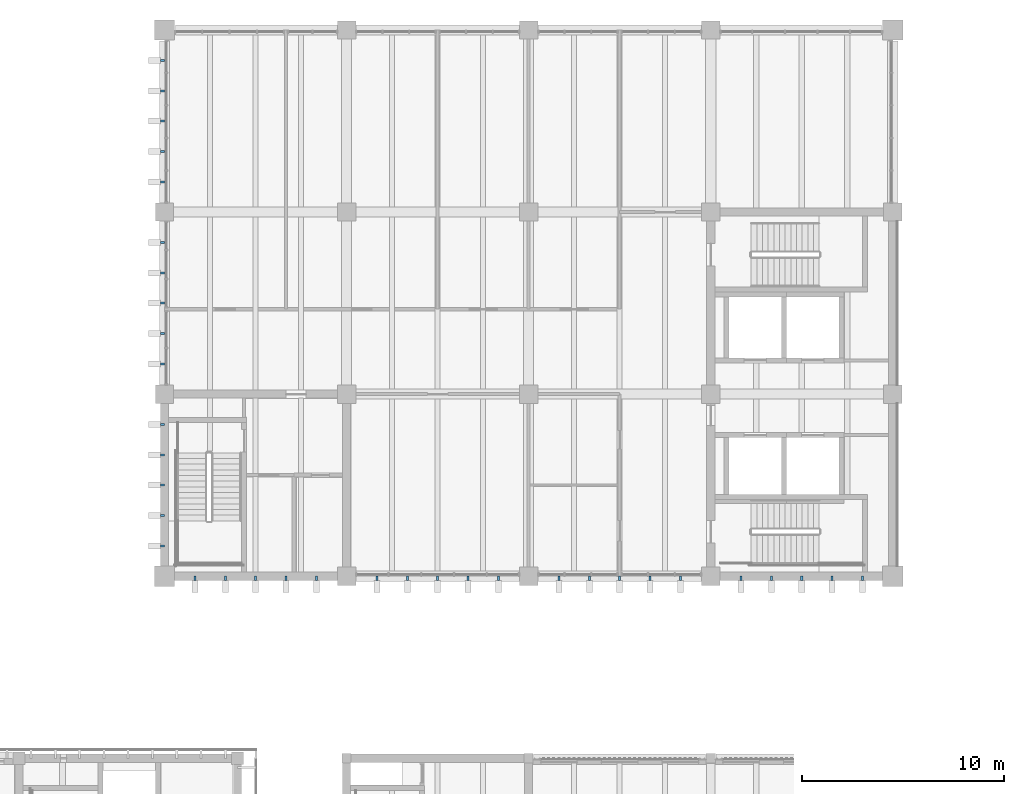
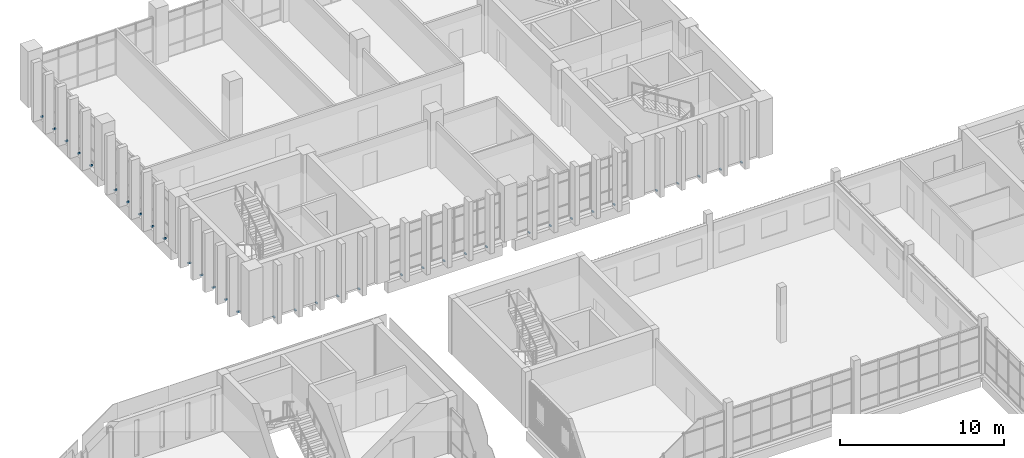
# One storey, part 65 of 88: 35 discrete accessories.
"""IFC4 building model written with IfcOpenShell, lengths in metres."""

from ifc_helpers import new_model, si_unit, direction, frame, origin, place, context, subcontext, project, spatial, polyline, outline, extrude, source, transform, mapped, material, type_object, element, save


model = new_model("IFC4")

# Units and contexts
model_context = context("Model", 3, precision=1e-05, world=origin(), true_north=direction((0.0, 1.0)))
body_context = subcontext(model_context, "Body", "Model", "MODEL_VIEW")
ifc_project = project(units=[si_unit("LENGTHUNIT", "METRE"), si_unit("AREAUNIT", "SQUARE_METRE"), si_unit("VOLUMEUNIT", "CUBIC_METRE"), si_unit("PLANEANGLEUNIT", "RADIAN"), si_unit("MASSUNIT", "GRAM", prefix="KILO")], contexts=[model_context])

# Site, building, storey
site_placement = place(None, origin())
site = spatial("IfcSite", under=ifc_project, at=site_placement, CompositionType="ELEMENT")
building_placement = place(site_placement, origin())
building = spatial("IfcBuilding", under=site, at=building_placement, Name="Merrow Basin Faculty of Sciences", CompositionType="ELEMENT")
storey_placement = place(building_placement, frame((0.0, 0.0, 9.0)))
storey = spatial("IfcBuildingStorey", under=building, at=storey_placement, Name="L02", CompositionType="ELEMENT", Elevation=9.0)

# Discrete accessories
ifc_material = material(Name="Steel ASTM A572 Gr 50", Category="steel")
discrete_accessory_type = type_object("IfcDiscreteAccessoryType", Name="Steel T bracket 100 x 80 fin", PredefinedType="BRACKET", material=ifc_material)
shared_shape = source(origin(), body_context, "Body", "SweptSolid", [
    extrude(outline(polyline([(0.0, 0.0), (0.10009765625, 0.0), (0.10009765625, 0.080078125), (0.0, 0.080078125), (0.0, 0.0)])), origin(), (0.0, 0.0, 1.0), 0.199951171875),
])
for number, where, z_axis, x_axis, name in (
    (1, (19.449951171875, 142.0, -0.199951171875), (0.0, -1.0, 0.0), (1.0, 0.0, 0.0), "Fin bracket SL02"),
    (2, (20.949951171875, 142.0, -0.199951171875), (0.0, -1.0, 0.0), (1.0, 0.0, 0.0), "Fin bracket SL02"),
    (3, (22.449951171875, 142.0, -0.199951171875), (0.0, -1.0, 0.0), (1.0, 0.0, 0.0), "Fin bracket SL02"),
    (4, (23.949951171875, 142.0, -0.199951171875), (0.0, -1.0, 0.0), (1.0, 0.0, 0.0), "Fin bracket SL02"),
    (5, (25.449951171875, 142.0, -0.199951171875), (0.0, -1.0, 0.0), (1.0, 0.0, 0.0), "Fin bracket SL02"),
    (6, (28.449951171875, 142.0, -0.199951171875), (0.0, -1.0, 0.0), (1.0, 0.0, 0.0), "Fin bracket SL02"),
    (7, (29.949951171875, 142.0, -0.199951171875), (0.0, -1.0, 0.0), (1.0, 0.0, 0.0), "Fin bracket SL02"),
    (8, (31.449951171875, 142.0, -0.199951171875), (0.0, -1.0, 0.0), (1.0, 0.0, 0.0), "Fin bracket SL02"),
    (9, (32.949951171875, 142.0, -0.199951171875), (0.0, -1.0, 0.0), (1.0, 0.0, 0.0), "Fin bracket SL02"),
    (10, (34.449951171875, 142.0, -0.199951171875), (0.0, -1.0, 0.0), (1.0, 0.0, 0.0), "Fin bracket SL02"),
    (11, (37.449951171875, 142.0, -0.199951171875), (0.0, -1.0, 0.0), (1.0, 0.0, 0.0), "Fin bracket SL02"),
    (12, (38.949951171875, 142.0, -0.199951171875), (0.0, -1.0, 0.0), (1.0, 0.0, 0.0), "Fin bracket SL02"),
    (13, (40.449951171875, 142.0, -0.199951171875), (0.0, -1.0, 0.0), (1.0, 0.0, 0.0), "Fin bracket SL02"),
    (14, (41.949951171875, 142.0, -0.199951171875), (0.0, -1.0, 0.0), (1.0, 0.0, 0.0), "Fin bracket SL02"),
    (15, (43.449951171875, 142.0, -0.199951171875), (0.0, -1.0, 0.0), (1.0, 0.0, 0.0), "Fin bracket SL02"),
    (16, (46.449951171875, 142.0, -0.199951171875), (0.0, -1.0, 0.0), (1.0, 0.0, 0.0), "Fin bracket SL02"),
    (17, (47.949951171875, 142.0, -0.199951171875), (0.0, -1.0, 0.0), (1.0, 0.0, 0.0), "Fin bracket SL02"),
    (18, (49.449951171875, 142.0, -0.199951171875), (0.0, -1.0, 0.0), (1.0, 0.0, 0.0), "Fin bracket SL02"),
    (19, (50.949951171875, 142.0, -0.199951171875), (0.0, -1.0, 0.0), (1.0, 0.0, 0.0), "Fin bracket SL02"),
    (20, (52.449951171875, 142.0, -0.199951171875), (0.0, -1.0, 0.0), (1.0, 0.0, 0.0), "Fin bracket SL02"),
    (21, (18.0, 143.550048828125, -0.199951171875), (-1.0, 0.0, 0.0), (0.0, -1.0, 0.0), "Fin bracket WL02"),
    (22, (18.0, 145.050048828125, -0.199951171875), (-1.0, 0.0, 0.0), (0.0, -1.0, 0.0), "Fin bracket WL02"),
    (23, (18.0, 146.550048828125, -0.199951171875), (-1.0, 0.0, 0.0), (0.0, -1.0, 0.0), "Fin bracket WL02"),
    (24, (18.0, 148.050048828125, -0.199951171875), (-1.0, 0.0, 0.0), (0.0, -1.0, 0.0), "Fin bracket WL02"),
    (25, (18.0, 149.550048828125, -0.199951171875), (-1.0, 0.0, 0.0), (0.0, -1.0, 0.0), "Fin bracket WL02"),
    (26, (18.0, 152.550048828125, -0.199951171875), (-1.0, 0.0, 0.0), (0.0, -1.0, 0.0), "Fin bracket WL02"),
    (27, (18.0, 154.050048828125, -0.199951171875), (-1.0, 0.0, 0.0), (0.0, -1.0, 0.0), "Fin bracket WL02"),
    (28, (18.0, 155.550048828125, -0.199951171875), (-1.0, 0.0, 0.0), (0.0, -1.0, 0.0), "Fin bracket WL02"),
    (29, (18.0, 157.050048828125, -0.199951171875), (-1.0, 0.0, 0.0), (0.0, -1.0, 0.0), "Fin bracket WL02"),
    (30, (18.0, 158.550048828125, -0.199951171875), (-1.0, 0.0, 0.0), (0.0, -1.0, 0.0), "Fin bracket WL02"),
    (31, (18.0, 161.550048828125, -0.199951171875), (-1.0, 0.0, 0.0), (0.0, -1.0, 0.0), "Fin bracket WL02"),
    (32, (18.0, 163.050048828125, -0.199951171875), (-1.0, 0.0, 0.0), (0.0, -1.0, 0.0), "Fin bracket WL02"),
    (33, (18.0, 164.550048828125, -0.199951171875), (-1.0, 0.0, 0.0), (0.0, -1.0, 0.0), "Fin bracket WL02"),
    (34, (18.0, 166.050048828125, -0.199951171875), (-1.0, 0.0, 0.0), (0.0, -1.0, 0.0), "Fin bracket WL02"),
    (35, (18.0, 167.550048828125, -0.199951171875), (-1.0, 0.0, 0.0), (0.0, -1.0, 0.0), "Fin bracket WL02"),
):
    element("IfcDiscreteAccessory", number, at=place(storey_placement, frame(where, z_axis=z_axis, x_axis=x_axis)), inside=storey, type_object=discrete_accessory_type, Name=name, PredefinedType="BRACKET", context=body_context, shape_type="MappedRepresentation", body=[
        mapped(shared_shape, transform((0.0, 0.0, 0.0), scale=1.0)),
    ])

save(model, "model.ifc")
